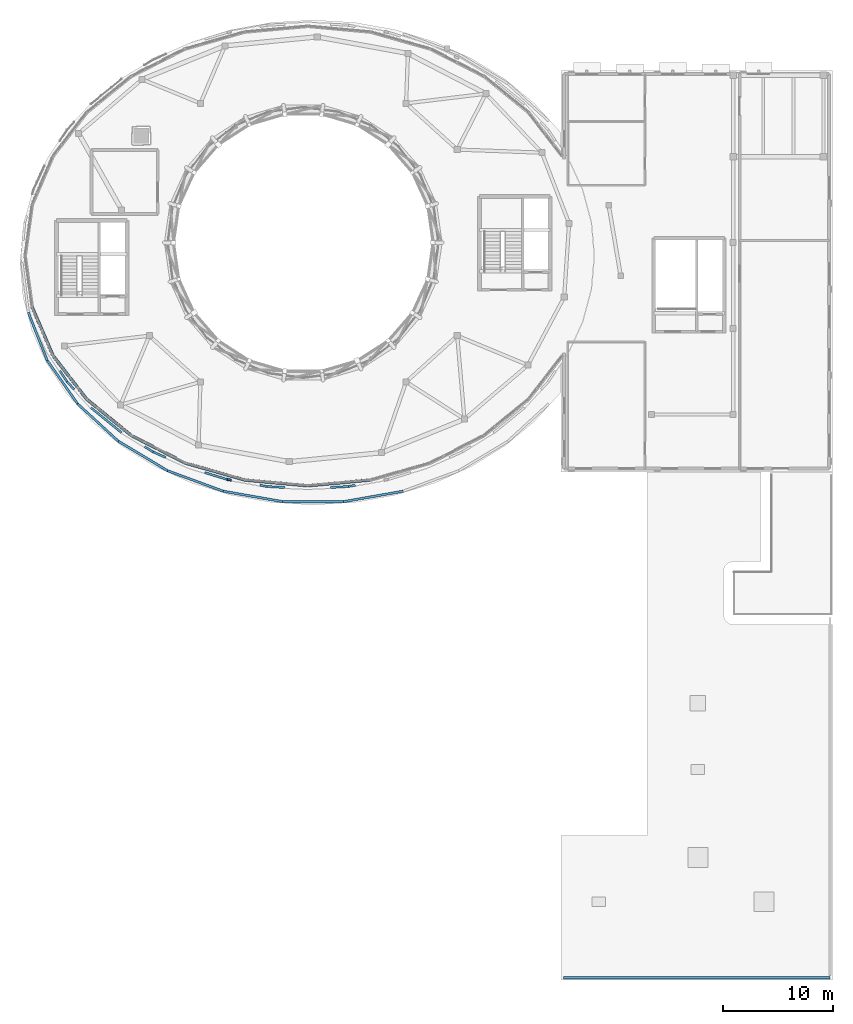
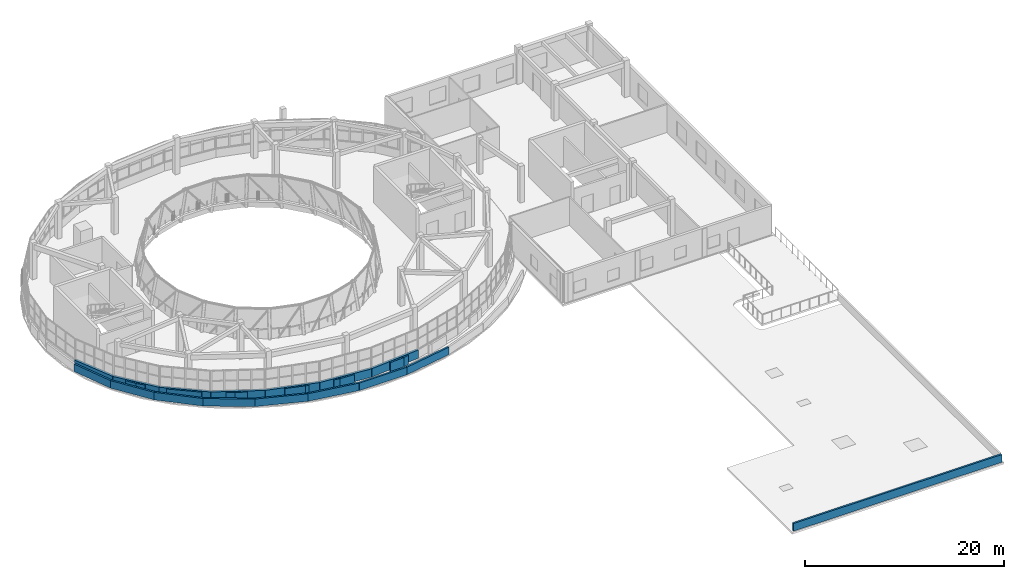
# One storey, part 34 of 46: 27 walls.
"""IFC4 building model written with IfcOpenShell, lengths in metres."""

import ifcopenshell
import ifcopenshell.guid

model = None  # the IFC model being written
_history = None  # IfcOwnerHistory: only IFC2X3 demands one
_inside = {}  # id of a spatial element -> (the spatial element, [elements in it])
_under = {}  # id of a project, library or spatial element -> (it, [spatial elements below it])
_declared = {}  # id of a project -> (the project, [libraries it declares])
_typed = {}  # id of a type object -> (the type object, [elements of that type])
_made_of = {}  # id of a material, layer set ... -> (it, [elements and type objects made of it])


def new_model(schema):
    """Start an empty IFC model of exactly this schema.

    Asked for "IFC4X3", IfcOpenShell would pick the latest addendum, in which some entities
    have other attributes; the version numbers below select the first issue.
    IFC2X3 requires an IfcOwnerHistory on every rooted entity: one is made here for all.
    """
    global model, _history
    if schema == "IFC4X3":
        model = ifcopenshell.file(schema_version=(4, 3, 0, 0))
    else:
        model = ifcopenshell.file(schema=schema)
    _inside.clear()
    _under.clear()
    _declared.clear()
    _typed.clear()
    _made_of.clear()
    _history = None
    if model.schema == "IFC2X3":
        org = make("IfcOrganization", Name="unknown")
        user = make(
            "IfcPersonAndOrganization",
            ThePerson=make("IfcPerson", FamilyName="unknown"),
            TheOrganization=org,
        )
        app = make(
            "IfcApplication",
            ApplicationDeveloper=org,
            Version="unknown",
            ApplicationFullName="unknown",
            ApplicationIdentifier="unknown",
        )
        _history = make(
            "IfcOwnerHistory",
            OwningUser=user,
            OwningApplication=app,
            ChangeAction="ADDED",
            CreationDate=0,
        )
    return model


def make(cls, **values):
    """One entity of the class cls with the attributes given. An attribute that is None is left unset."""
    return model.create_entity(
        cls, **{name: value for name, value in values.items() if value is not None}
    )


def rooted(cls, **values):
    """An entity with a GlobalId (a new one), such as an element, a storey or a relation."""
    return make(cls, GlobalId=ifcopenshell.guid.new(), OwnerHistory=_history, **values)


def si_unit(unit_type, name, prefix=None):
    """IfcSIUnit, for example si_unit("LENGTHUNIT", "METRE", prefix="MILLI")."""
    return make("IfcSIUnit", UnitType=unit_type, Prefix=prefix, Name=name)


def assignment(units):
    """IfcUnitAssignment: the units of a project."""
    return None if units is None else make("IfcUnitAssignment", Units=units)


def point(xyz):
    """IfcCartesianPoint."""
    return None if xyz is None else make("IfcCartesianPoint", Coordinates=xyz)


def direction(xyz):
    """IfcDirection."""
    return None if xyz is None else make("IfcDirection", DirectionRatios=xyz)


def frame(location, z_axis=None, x_axis=None):
    """IfcAxis2Placement3D, a coordinate frame: its origin and axes. An axis left out is left unset."""
    return make(
        "IfcAxis2Placement3D",
        Location=point(location),
        Axis=direction(z_axis),
        RefDirection=direction(x_axis),
    )


def frame_2d(location, x_axis=None):
    """IfcAxis2Placement2D, a coordinate frame in the plane: its origin and x axis."""
    return make(
        "IfcAxis2Placement2D", Location=point(location), RefDirection=direction(x_axis)
    )


def origin():
    """The frame at (0, 0, 0) with its axes left unset."""
    return frame((0.0, 0.0, 0.0))


def place(relative_to, where):
    """IfcLocalPlacement: puts the frame where relative to a parent placement (None: the world)."""
    return make(
        "IfcLocalPlacement", PlacementRelTo=relative_to, RelativePlacement=where
    )


def context(
    kind, dimensions, precision=None, world=None, true_north=None, identifier=None
):
    """IfcGeometricRepresentationContext, for example the 3D "Model" context."""
    return make(
        "IfcGeometricRepresentationContext",
        ContextIdentifier=identifier,
        ContextType=kind,
        CoordinateSpaceDimension=dimensions,
        Precision=precision,
        WorldCoordinateSystem=world,
        TrueNorth=true_north,
    )


def subcontext(parent, identifier, kind, view, scale=None):
    """IfcGeometricRepresentationSubContext, for example "Body" below "Model"."""
    return make(
        "IfcGeometricRepresentationSubContext",
        ContextIdentifier=identifier,
        ContextType=kind,
        ParentContext=parent,
        TargetScale=scale,
        TargetView=view,
    )


def project(units=None, contexts=None):
    """IfcProject with its units and contexts."""
    return rooted(
        "IfcProject",
        Name="project",
        RepresentationContexts=contexts,
        UnitsInContext=assignment(units),
    )


def spatial(cls, under=None, at=None, **own):
    """A site, building, storey or space (cls), placed at a placement, below another one or the project."""
    s = rooted(cls, ObjectPlacement=at, **own)
    if under is not None:
        _under.setdefault(under.id(), (under, []))[1].append(s)
    return s


def profile(cls, at=None, kind="AREA", **sizes):
    """A parametric profile (cls). Its sizes go by their IFC names, for example OverallWidth=200.0."""
    return make(cls, ProfileType=kind, Position=at, **sizes)


def rectangle(**sizes):
    """IfcRectangleProfileDef."""
    return profile("IfcRectangleProfileDef", **sizes)


def extrude(swept, where, along, depth):
    """IfcExtrudedAreaSolid: the profile swept, set in the frame where, extruded along a direction by depth."""
    return make(
        "IfcExtrudedAreaSolid",
        SweptArea=swept,
        Position=where,
        ExtrudedDirection=direction(along),
        Depth=depth,
    )


def shape(context_of_items, identifier, shape_type, items):
    """IfcShapeRepresentation: the items that make up one representation, for example the "Body"."""
    return make(
        "IfcShapeRepresentation",
        ContextOfItems=context_of_items,
        RepresentationIdentifier=identifier,
        RepresentationType=shape_type,
        Items=items,
    )


def material(Name=None, Category=None):
    """IfcMaterial."""
    return make("IfcMaterial", Name=Name, Category=Category)


def layer(
    of_material, thickness, ventilated=None, Name=None, Category=None, Priority=None
):
    """IfcMaterialLayer: one layer of a wall or slab, of a material (None: an air gap)."""
    return make(
        "IfcMaterialLayer",
        Material=of_material,
        LayerThickness=thickness,
        IsVentilated=ventilated,
        Name=Name,
        Category=Category,
        Priority=Priority,
    )


def layer_set(layers, Name=None):
    """IfcMaterialLayerSet."""
    return make("IfcMaterialLayerSet", MaterialLayers=layers, LayerSetName=Name)


def made_of(thing, what):
    """Note that an element or type object is made of a material, layer set ...; save() writes the relation."""
    if what is not None:
        _made_of.setdefault(what.id(), (what, []))[1].append(thing)
    return thing


def type_object(cls, material=None, **own):
    """A type object (cls), such as IfcWallType, which elements share."""
    return made_of(rooted(cls, **own), material)


def element(
    cls,
    number,
    at=None,
    inside=None,
    cuts=None,
    type_object=None,
    material=None,
    context=None,
    identifier="Body",
    shape_type=None,
    held_by="IfcProductDefinitionShape",
    body=None,
    shapes=None,
    **own,
):
    """One element of the class cls, such as IfcWall. Its Tag is "e" and its number.

    at: its placement. inside: the storey or other place that contains it. cuts: it is an
    opening in that element (IfcRelVoidsElement). A single representation is given by context,
    identifier, shape_type and body (its items); several are given by shapes. held_by: the class
    of the entity that holds the representations. save() writes the other relations.
    """
    e = rooted(cls, Tag="e%d" % number, ObjectPlacement=at, **own)
    if body is not None:
        shapes = [shape(context, identifier, shape_type, body)]
    if shapes is not None:
        e.Representation = make(held_by, Representations=shapes)
    if inside is not None:
        _inside.setdefault(inside.id(), (inside, []))[1].append(e)
    if cuts is not None:
        rooted(
            "IfcRelVoidsElement", RelatingBuildingElement=cuts, RelatedOpeningElement=e
        )
    if type_object is not None:
        _typed.setdefault(type_object.id(), (type_object, []))[1].append(e)
    return made_of(e, material)


def aggregate(whole, parts):
    """IfcRelAggregates: a whole, such as a stair, and the parts it consists of."""
    return rooted("IfcRelAggregates", RelatingObject=whole, RelatedObjects=parts)


def save(model, path):
    """Write the relations noted so far, then the file.

    IfcRelAggregates (storeys below a building ...), IfcRelContainedInSpatialStructure (elements
    in a storey), IfcRelDefinesByType, IfcRelAssociatesMaterial and IfcRelDeclares: one each for
    every whole, place, type object, material and project.
    """
    for whole, parts in _under.values():
        aggregate(whole, parts)
    for where, things in _inside.values():
        rooted(
            "IfcRelContainedInSpatialStructure",
            RelatedElements=things,
            RelatingStructure=where,
        )
    for kind, things in _typed.values():
        rooted("IfcRelDefinesByType", RelatedObjects=things, RelatingType=kind)
    for what, things in _made_of.values():
        rooted("IfcRelAssociatesMaterial", RelatedObjects=things, RelatingMaterial=what)
    for by, libraries in _declared.values():
        rooted("IfcRelDeclares", RelatingContext=by, RelatedDefinitions=libraries)
    model.write(path)


model = new_model("IFC4")

# Units and contexts
model_context = context("Model", 3, precision=1e-05, world=origin(), true_north=direction((0.0, 1.0)))
body_context = subcontext(model_context, "Body", "Model", "MODEL_VIEW")
ifc_project = project(units=[si_unit("LENGTHUNIT", "METRE"), si_unit("AREAUNIT", "SQUARE_METRE"), si_unit("VOLUMEUNIT", "CUBIC_METRE"), si_unit("PLANEANGLEUNIT", "RADIAN"), si_unit("MASSUNIT", "GRAM", prefix="KILO")], contexts=[model_context])

# Site, building, storey
site_placement = place(None, origin())
site = spatial("IfcSite", under=ifc_project, at=site_placement, CompositionType="ELEMENT")
building_placement = place(site_placement, origin())
building = spatial("IfcBuilding", under=site, at=building_placement, Name="Pelvatis Terrace Science Centre", CompositionType="ELEMENT")
storey_placement = place(building_placement, frame((0.0, 0.0, 19.800048828125)))
storey = spatial("IfcBuildingStorey", under=building, at=storey_placement, Name="L04", CompositionType="ELEMENT", Elevation=19.800048828125)

# Walls
ifc_material_1 = material(Name="White architectural precast concrete C40/50 spandrel", Category="concrete")
ifc_layer_1 = layer(ifc_material_1, 0.27490234375)
ifc_layer_set_1 = layer_set([ifc_layer_1], Name="White architectural precast concrete C40/50 spandrel")
wall_type_1 = type_object("IfcWallType", Name="WL-EXT-SPND-275", PredefinedType="SOLIDWALL", material=ifc_layer_set_1)
wall_1_placement = place(storey_placement, frame((84.593017578125, 79.96044921875, 0.0), z_axis=(0.0, 0.0, 1.0), x_axis=(0.395374283189, -0.918520101137, 0.0)))
element("IfcWall", 1, at=wall_1_placement, inside=storey, type_object=wall_type_1, Name="V1 white spiral spandrel band 16 (L04)", PredefinedType="SOLIDWALL", context=body_context, shape_type="SweptSolid", body=[
    extrude(rectangle(XDim=4.7978515625, YDim=0.27490234375, at=frame_2d((2.39892578125, 0.0))), origin(), (0.0, 0.0, 1.0), 1.02001953125),
])
wall_2_placement = place(storey_placement, frame((86.489990234375, 75.553466796875, 0.0), z_axis=(0.0, 0.0, 1.0), x_axis=(0.611576816245, -0.791185059156, 0.0)))
element("IfcWall", 2, at=wall_2_placement, inside=storey, type_object=wall_type_1, Name="V1 white spiral spandrel band 17 (L04)", PredefinedType="SOLIDWALL", context=body_context, shape_type="SweptSolid", body=[
    extrude(rectangle(XDim=4.996826171875, YDim=0.27490234375, at=frame_2d((2.49853515625, 0.0))), origin(), (0.0, 0.0, 1.0), 1.02001953125),
])
wall_3_placement = place(storey_placement, frame((89.5458984375, 71.60009765625, 0.0), z_axis=(0.0, 0.0, 1.0), x_axis=(0.775994134664, -0.630740123162, 0.0)))
element("IfcWall", 3, at=wall_3_placement, inside=storey, type_object=wall_type_1, Name="V1 white spiral spandrel band 18 (L04)", PredefinedType="SOLIDWALL", context=body_context, shape_type="SweptSolid", body=[
    extrude(rectangle(XDim=5.23388671875, YDim=0.27490234375, at=frame_2d((2.616943359375, 0.0))), origin(), (0.0, 0.0, 1.0), 1.02001953125),
])
wall_4_placement = place(storey_placement, frame((93.607421875, 68.298828125, 0.0), z_axis=(0.0, 0.0, 1.0), x_axis=(0.890558645539, -0.454868441261, 0.0)))
element("IfcWall", 4, at=wall_4_placement, inside=storey, type_object=wall_type_1, Name="V1 white spiral spandrel band 19 (L04)", PredefinedType="SOLIDWALL", context=body_context, shape_type="SweptSolid", body=[
    extrude(rectangle(XDim=5.461181640625, YDim=0.27490234375, at=frame_2d((2.73046875, 0.0))), origin(), (0.0, 0.0, 1.0), 1.02001953125),
])
wall_5_placement = place(storey_placement, frame((98.470947265625, 65.814697265625, 0.0), z_axis=(0.0, 0.0, 1.0), x_axis=(0.961850171626, -0.273576766819, 0.0)))
element("IfcWall", 5, at=wall_5_placement, inside=storey, type_object=wall_type_1, Name="V1 white spiral spandrel band 20 (L04)", PredefinedType="SOLIDWALL", context=body_context, shape_type="SweptSolid", body=[
    extrude(rectangle(XDim=5.636474609375, YDim=0.27490234375, at=frame_2d((2.818359375, 0.0))), origin(), (0.0, 0.0, 1.0), 1.02001953125),
])
wall_6_placement = place(storey_placement, frame((103.892333984375, 64.272705078125, 0.0), z_axis=(0.0, 0.0, 1.0), x_axis=(0.995832935154, -0.091196300704, 0.0)))
element("IfcWall", 6, at=wall_6_placement, inside=storey, type_object=wall_type_1, Name="V1 white spiral spandrel band 21 (L04)", PredefinedType="SOLIDWALL", context=body_context, shape_type="SweptSolid", body=[
    extrude(rectangle(XDim=5.731689453125, YDim=0.27490234375, at=frame_2d((2.86572265625, 0.0))), origin(), (0.0, 0.0, 1.0), 1.02001953125),
])
wall_7_placement = place(storey_placement, frame((109.60009765625, 63.75, 0.0), z_axis=(0.0, 0.0, 1.0), x_axis=(0.995832580877, 0.091200169204, 0.0)))
element("IfcWall", 7, at=wall_7_placement, inside=storey, type_object=wall_type_1, Name="V1 white spiral spandrel band 22 (L04)", PredefinedType="SOLIDWALL", context=body_context, shape_type="SweptSolid", body=[
    extrude(rectangle(XDim=5.7314453125, YDim=0.27490234375, at=frame_2d((2.86572265625, 0.0))), origin(), (0.0, 0.0, 1.0), 1.02001953125),
])
ifc_material_2 = material(Name="White architectural precast concrete C40/50 spandrel parapet", Category="concrete")
ifc_layer_2 = layer(ifc_material_2, 0.18994140625)
ifc_layer_set_2 = layer_set([ifc_layer_2], Name="White architectural precast concrete C40/50 spandrel parapet")
wall_type_2 = type_object("IfcWallType", Name="WL-PAR-190", PredefinedType="PARAPET", material=ifc_layer_set_2)
wall_8_placement = place(storey_placement, frame((113.92041015625, 63.78662109375, 0.0), z_axis=(0.0, 0.0, 1.0), x_axis=(-0.984675326664, -0.17439753742, 0.0)))
element("IfcWall", 8, at=wall_8_placement, inside=storey, type_object=wall_type_2, Name="Perimeter edge closure parapet PW-EDG-L04-407", PredefinedType="PARAPET", context=body_context, shape_type="SweptSolid", body=[
    extrude(rectangle(XDim=0.636962890625, YDim=0.18994140625, at=frame_2d((0.318359375, 0.0))), origin(), (0.0, 0.0, 1.0), 1.119873046875),
])
for number, where, z_axis, x_axis, name in (
    (9, (113.293212890625, 63.675537109375, 0.0), (0.0, 0.0, 1.0), (-0.998305423223, -0.058191768856, 0.0), "Perimeter edge closure parapet PW-EDG-L04-408"),
    (10, (107.5234375, 63.581298828125, 0.0), (0.0, 0.0, 1.0), (-0.998305423223, 0.058191768856, 0.0), "Perimeter edge closure parapet PW-EDG-L04-409"),
):
    element("IfcWall", number, at=place(storey_placement, frame(where, z_axis=z_axis, x_axis=x_axis)), inside=storey, type_object=wall_type_2, Name=name, PredefinedType="PARAPET", context=body_context, shape_type="SweptSolid", body=[
        extrude(rectangle(XDim=1.619384765625, YDim=0.18994140625, at=frame_2d((0.8095703125, 0.0))), origin(), (0.0, 0.0, 1.0), 1.119873046875),
    ])
wall_9_placement = place(storey_placement, frame((105.90673828125, 63.675537109375, 0.0), z_axis=(0.0, 0.0, 1.0), x_axis=(-0.984675326664, 0.17439753742, 0.0)))
element("IfcWall", 11, at=wall_9_placement, inside=storey, type_object=wall_type_2, Name="Perimeter edge closure parapet PW-EDG-L04-410", PredefinedType="PARAPET", context=body_context, shape_type="SweptSolid", body=[
    extrude(rectangle(XDim=0.636962890625, YDim=0.18994140625, at=frame_2d((0.318359375, 0.0))), origin(), (0.0, 0.0, 1.0), 1.119873046875),
])
wall_10_placement = place(storey_placement, frame((102.66259765625, 64.2509765625, 0.0), z_axis=(0.0, 0.0, 1.0), x_axis=(-0.984673218615, 0.174409439376, 0.0)))
element("IfcWall", 12, at=wall_10_placement, inside=storey, type_object=wall_type_2, Name="Perimeter edge closure parapet PW-EDG-L04-411", PredefinedType="PARAPET", context=body_context, shape_type="SweptSolid", body=[
    extrude(rectangle(XDim=0.37939453125, YDim=0.18994140625, at=frame_2d((0.189697265625, 0.0))), origin(), (0.0, 0.0, 1.0), 1.119873046875),
])
wall_11_placement = place(storey_placement, frame((102.2890625, 64.317138671875, 0.0), z_axis=(0.0, 0.0, 1.0), x_axis=(-0.95673936566, 0.290946363093, 0.0)))
element("IfcWall", 13, at=wall_11_placement, inside=storey, type_object=wall_type_2, Name="Perimeter edge closure parapet PW-EDG-L04-412", PredefinedType="PARAPET", context=body_context, shape_type="SweptSolid", body=[
    extrude(rectangle(XDim=2.121337890625, YDim=0.18994140625, at=frame_2d((1.060546875, 0.0))), origin(), (0.0, 0.0, 1.0), 1.119873046875),
])
wall_12_placement = place(storey_placement, frame((96.72705078125, 66.303955078125, 0.0), z_axis=(0.0, 0.0, 1.0), x_axis=(-0.913524848842, 0.406782928044, 0.0)))
element("IfcWall", 14, at=wall_12_placement, inside=storey, type_object=wall_type_2, Name="Perimeter edge closure parapet PW-EDG-L04-413", PredefinedType="PARAPET", context=body_context, shape_type="SweptSolid", body=[
    extrude(rectangle(XDim=1.26513671875, YDim=0.18994140625, at=frame_2d((0.632568359375, 0.0))), origin(), (0.0, 0.0, 1.0), 1.119873046875),
])
wall_13_placement = place(storey_placement, frame((95.5712890625, 66.818603515625, 0.0), z_axis=(0.0, 0.0, 1.0), x_axis=(-0.853525652292, 0.521050823702, 0.0)))
element("IfcWall", 15, at=wall_13_placement, inside=storey, type_object=wall_type_2, Name="Perimeter edge closure parapet PW-EDG-L04-414", PredefinedType="PARAPET", context=body_context, shape_type="SweptSolid", body=[
    extrude(rectangle(XDim=0.890625, YDim=0.18994140625, at=frame_2d((0.4453125, 0.0))), origin(), (0.0, 0.0, 1.0), 1.119873046875),
])
wall_14_placement = place(storey_placement, frame((92.722412109375, 68.5576171875, 0.0), z_axis=(0.0, 0.0, 1.0), x_axis=(-0.775995585182, 0.630738338599, 0.0)))
element("IfcWall", 16, at=wall_14_placement, inside=storey, type_object=wall_type_2, Name="Perimeter edge closure parapet PW-EDG-L04-415", PredefinedType="PARAPET", context=body_context, shape_type="SweptSolid", body=[
    extrude(rectangle(XDim=3.59521484375, YDim=0.18994140625, at=frame_2d((1.797607421875, 0.0))), origin(), (0.0, 0.0, 1.0), 1.119873046875),
])
wall_15_placement = place(storey_placement, frame((88.41796875, 72.47509765625, 0.0), z_axis=(0.0, 0.0, 1.0), x_axis=(-0.676433419402, 0.736503787577, 0.0)))
element("IfcWall", 17, at=wall_15_placement, inside=storey, type_object=wall_type_2, Name="Perimeter edge closure parapet PW-EDG-L04-416", PredefinedType="PARAPET", context=body_context, shape_type="SweptSolid", body=[
    extrude(rectangle(XDim=0.950927734375, YDim=0.18994140625, at=frame_2d((0.4755859375, 0.0))), origin(), (0.0, 0.0, 1.0), 1.119873046875),
])
wall_16_placement = place(storey_placement, frame((87.774658203125, 73.175537109375, 0.0), z_axis=(0.0, 0.0, 1.0), x_axis=(-0.556412327291, 0.83090632567, 0.0)))
element("IfcWall", 18, at=wall_16_placement, inside=storey, type_object=wall_type_2, Name="Perimeter edge closure parapet PW-EDG-L04-417", PredefinedType="PARAPET", context=body_context, shape_type="SweptSolid", body=[
    extrude(rectangle(XDim=1.183837890625, YDim=0.18994140625, at=frame_2d((0.591796875, 0.0))), origin(), (0.0, 0.0, 1.0), 1.119873046875),
])
ifc_material_3 = material(Name="White architectural precast concrete C40/50 spandrel parapet", Category="concrete")
ifc_layer_3 = layer(ifc_material_3, 0.205078125)
ifc_layer_set_3 = layer_set([ifc_layer_3], Name="White architectural precast concrete C40/50 spandrel parapet")
wall_type_3 = type_object("IfcWallType", Name="WL-PAR-205", PredefinedType="PARAPET", material=ifc_layer_set_3)
wall_17_placement = place(storey_placement, frame((84.25732421875, 79.46337890625, 0.0), z_axis=(0.0, 0.0, 1.0), x_axis=(0.366102749888, -0.930574433629, 0.0)))
element("IfcWall", 19, at=wall_17_placement, inside=storey, type_object=wall_type_3, Name="White spiral ring parapet PW-CRV-L04-050", PredefinedType="PARAPET", context=body_context, shape_type="SweptSolid", body=[
    extrude(rectangle(XDim=4.662109375, YDim=0.205078125, at=frame_2d((2.3310546875, 0.0))), origin(), (0.0, 0.0, 1.0), 0.919921875),
])
wall_18_placement = place(storey_placement, frame((85.964111328125, 75.125, 0.0), z_axis=(0.0, 0.0, 1.0), x_axis=(0.572962527853, -0.819581564993, 0.0)))
element("IfcWall", 20, at=wall_18_placement, inside=storey, type_object=wall_type_3, Name="White spiral ring parapet PW-CRV-L04-051", PredefinedType="PARAPET", context=body_context, shape_type="SweptSolid", body=[
    extrude(rectangle(XDim=4.820068359375, YDim=0.205078125, at=frame_2d((2.41015625, 0.0))), origin(), (0.0, 0.0, 1.0), 0.919921875),
])
wall_19_placement = place(storey_placement, frame((88.725830078125, 71.174560546875, 0.0), z_axis=(0.0, 0.0, 1.0), x_axis=(0.736947988191, -0.67594945277, 0.0)))
element("IfcWall", 21, at=wall_19_placement, inside=storey, type_object=wall_type_3, Name="White spiral ring parapet PW-CRV-L04-052", PredefinedType="PARAPET", context=body_context, shape_type="SweptSolid", body=[
    extrude(rectangle(XDim=5.014892578125, YDim=0.205078125, at=frame_2d((2.50732421875, 0.0))), origin(), (0.0, 0.0, 1.0), 0.919921875),
])
wall_20_placement = place(storey_placement, frame((92.421630859375, 67.78466796875, 0.0), z_axis=(0.0, 0.0, 1.0), x_axis=(0.857455718754, -0.514557761943, 0.0)))
element("IfcWall", 22, at=wall_20_placement, inside=storey, type_object=wall_type_3, Name="White spiral ring parapet PW-CRV-L04-053", PredefinedType="PARAPET", context=body_context, shape_type="SweptSolid", body=[
    extrude(rectangle(XDim=5.211181640625, YDim=0.205078125, at=frame_2d((2.60546875, 0.0))), origin(), (0.0, 0.0, 1.0), 0.919921875),
])
wall_21_placement = place(storey_placement, frame((96.889892578125, 65.103271484375, 0.0), z_axis=(0.0, 0.0, 1.0), x_axis=(0.938556923092, -0.345124473365, 0.0)))
element("IfcWall", 23, at=wall_21_placement, inside=storey, type_object=wall_type_3, Name="White spiral ring parapet PW-CRV-L04-054", PredefinedType="PARAPET", context=body_context, shape_type="SweptSolid", body=[
    extrude(rectangle(XDim=5.376220703125, YDim=0.205078125, at=frame_2d((2.68798828125, 0.0))), origin(), (0.0, 0.0, 1.0), 0.919921875),
])
wall_22_placement = place(storey_placement, frame((101.935791015625, 63.247802734375, 0.0), z_axis=(0.0, 0.0, 1.0), x_axis=(0.98494399736, -0.172873717102, 0.0)))
element("IfcWall", 24, at=wall_22_placement, inside=storey, type_object=wall_type_3, Name="White spiral ring parapet PW-CRV-L04-055", PredefinedType="PARAPET", context=body_context, shape_type="SweptSolid", body=[
    extrude(rectangle(XDim=5.485107421875, YDim=0.205078125, at=frame_2d((2.74267578125, 0.0))), origin(), (0.0, 0.0, 1.0), 0.919921875),
])
wall_23_placement = place(storey_placement, frame((107.33837890625, 62.299560546875, 0.0), z_axis=(0.0, 0.0, 1.0), x_axis=(1.0, 0.0, 0.0)))
element("IfcWall", 25, at=wall_23_placement, inside=storey, type_object=wall_type_3, Name="White spiral ring parapet PW-CRV-L04-056", PredefinedType="PARAPET", context=body_context, shape_type="SweptSolid", body=[
    extrude(rectangle(XDim=5.523193359375, YDim=0.205078125, at=frame_2d((2.76171875, 0.0))), origin(), (0.0, 0.0, 1.0), 0.919921875),
])
wall_24_placement = place(storey_placement, frame((112.861572265625, 62.299560546875, 0.0), z_axis=(0.0, 0.0, 1.0), x_axis=(0.98494399736, 0.172873717102, 0.0)))
element("IfcWall", 26, at=wall_24_placement, inside=storey, type_object=wall_type_3, Name="White spiral ring parapet PW-CRV-L04-057", PredefinedType="PARAPET", context=body_context, shape_type="SweptSolid", body=[
    extrude(rectangle(XDim=5.485107421875, YDim=0.205078125, at=frame_2d((2.74267578125, 0.0))), origin(), (0.0, 0.0, 1.0), 0.919921875),
])
wall_25_placement = place(storey_placement, frame((132.800048828125, 19.10009765625, 0.0), z_axis=(0.0, 0.0, 1.0), x_axis=(1.0, 0.0, 0.0)))
element("IfcWall", 27, at=wall_25_placement, inside=storey, type_object=wall_type_3, Name="Classical cornice parapet PW-L04-1", PredefinedType="PARAPET", context=body_context, shape_type="SweptSolid", body=[
    extrude(rectangle(XDim=24.199951171875, YDim=0.205078125, at=frame_2d((12.10009765625, 0.0))), origin(), (0.0, 0.0, 1.0), 0.949951171875),
])

save(model, "model.ifc")
